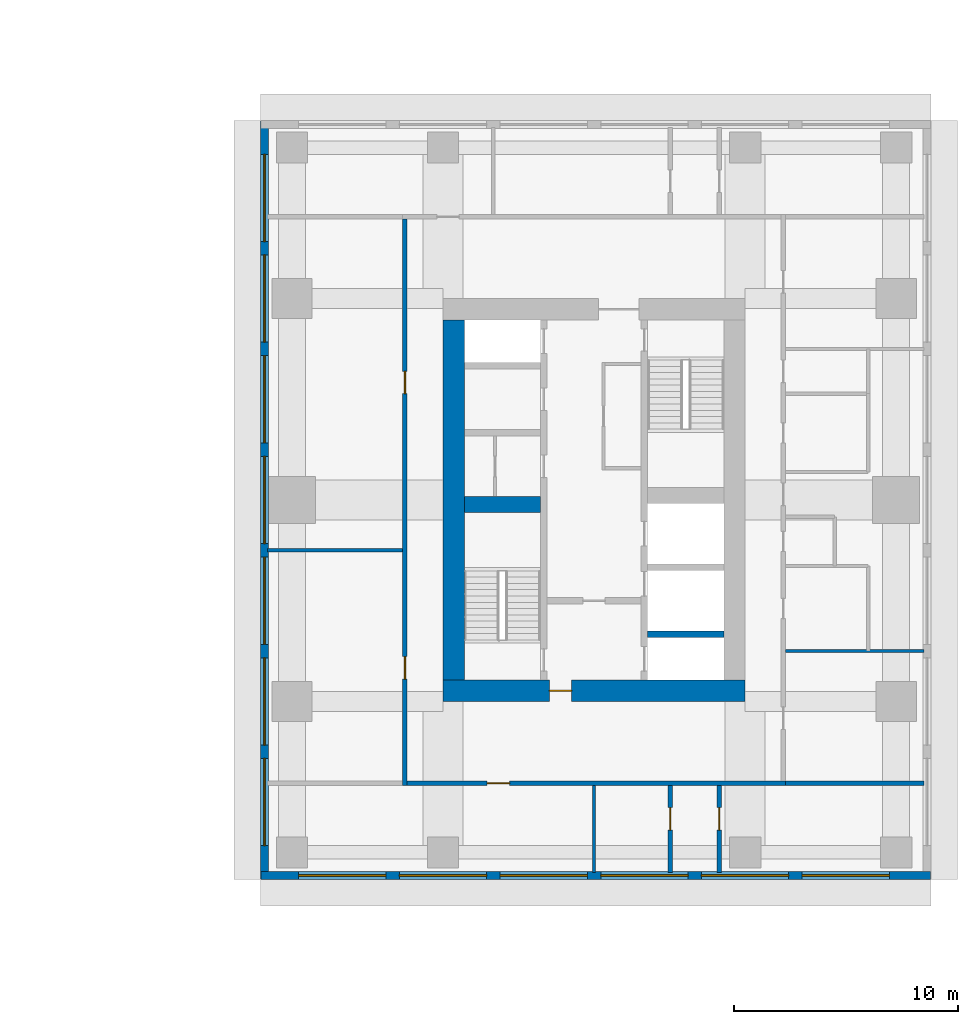
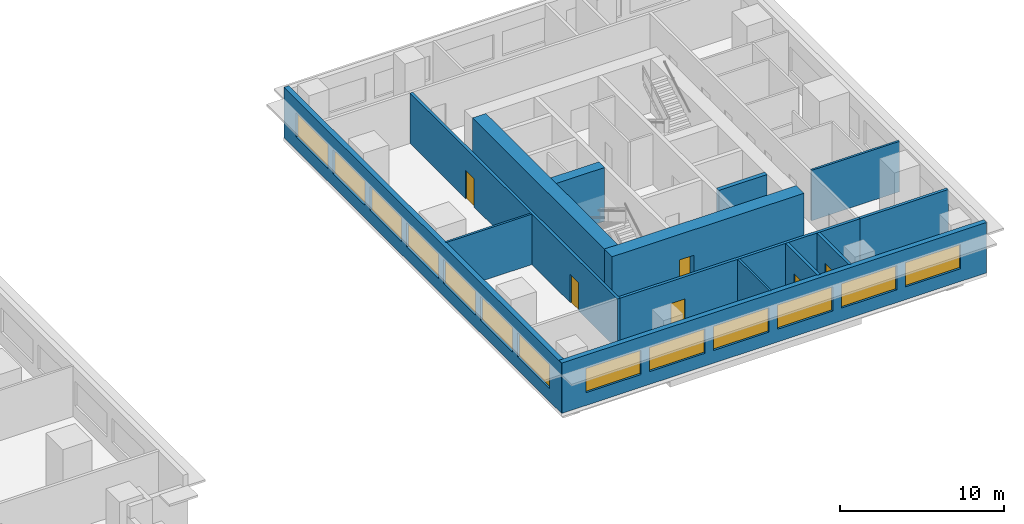
# One storey, part 6 of 11: 14 walls, 13 windows, 6 doors, 19 openings.
"""IFC4 building model written with IfcOpenShell, lengths in metres."""

from ifc_helpers import new_model, si_unit, direction, frame, frame_2d, origin, place, context, subcontext, project, spatial, rectangle, extrude, material, layer, layer_set, type_object, element, fill, save


model = new_model("IFC4")

# Units and contexts
model_context = context("Model", 3, precision=1e-05, world=origin(), true_north=direction((0.0, 1.0)))
body_context = subcontext(model_context, "Body", "Model", "MODEL_VIEW")
ifc_project = project(units=[si_unit("LENGTHUNIT", "METRE"), si_unit("AREAUNIT", "SQUARE_METRE"), si_unit("VOLUMEUNIT", "CUBIC_METRE"), si_unit("PLANEANGLEUNIT", "RADIAN"), si_unit("MASSUNIT", "GRAM", prefix="KILO")], contexts=[model_context])

# Site, building, storey
site_placement = place(None, origin())
site = spatial("IfcSite", under=ifc_project, at=site_placement, CompositionType="ELEMENT")
building_placement = place(site_placement, origin())
building = spatial("IfcBuilding", under=site, at=building_placement, Name="Namib Vertical Campus", CompositionType="ELEMENT")
storey_placement = place(building_placement, frame((0.0, 0.0, 193.0)))
storey = spatial("IfcBuildingStorey", under=building, at=storey_placement, Name="L45", CompositionType="ELEMENT", Elevation=193.0)

# Walls
ifc_material_1 = material(Name="Concrete C60/75", Category="concrete")
ifc_layer_1 = layer(ifc_material_1, 0.300048828125)
ifc_layer_set_1 = layer_set([ifc_layer_1], Name="Concrete C60/75")
wall_type_1 = type_object("IfcWallType", Name="Core inner wall 300", PredefinedType="SHEAR", material=ifc_layer_set_1)
wall_1_placement = place(storey_placement, frame((83.39990234375, 14.25, 0.0), z_axis=(0.0, 0.0, 1.0), x_axis=(1.0, 0.0, 0.0)))
element("IfcWall", 1, at=wall_1_placement, inside=storey, type_object=wall_type_1, Name="Core inner wall B L45 W5", PredefinedType="SHEAR", context=body_context, shape_type="SweptSolid", body=[
    extrude(rectangle(XDim=3.400146484375, YDim=0.300048828125, at=frame_2d((1.7001953125, 0.0))), origin(), (0.0, 0.0, 1.0), 4.0),
])
ifc_material_2 = material(Name="Concrete C60/75", Category="concrete")
ifc_layer_2 = layer(ifc_material_2, 0.699951171875)
ifc_layer_set_2 = layer_set([ifc_layer_2], Name="Concrete C60/75")
wall_type_2 = type_object("IfcWallType", Name="Core shear wall 700", PredefinedType="SHEAR", material=ifc_layer_set_2)
wall_2_placement = place(storey_placement, frame((75.199951171875, 20.050048828125, 0.0), z_axis=(0.0, 0.0, 1.0), x_axis=(1.0, 0.0, 0.0)))
element("IfcWall", 2, at=wall_2_placement, inside=storey, type_object=wall_type_2, Name="Core shear wall B L45 W3", PredefinedType="SHEAR", context=body_context, shape_type="SweptSolid", body=[
    extrude(rectangle(XDim=3.400146484375, YDim=0.699951171875, at=frame_2d((1.7001953125, 0.0))), origin(), (0.0, 0.0, 1.0), 4.0),
])

# Wall, opening, door
ifc_material_3 = material(Name="Concrete C60/75", Category="concrete")
ifc_layer_3 = layer(ifc_material_3, 0.949951171875)
ifc_layer_set_3 = layer_set([ifc_layer_3], Name="Concrete C60/75")
wall_type_3 = type_object("IfcWallType", Name="Core wall 950", PredefinedType="SHEAR", material=ifc_layer_set_3)
wall_3_placement = place(storey_placement, frame((74.25, 11.72509765625, 0.0), z_axis=(0.0, 0.0, 1.0), x_axis=(1.0, 0.0, 0.0)))
wall_3 = element("IfcWall", 3, at=wall_3_placement, inside=storey, type_object=wall_type_3, Name="Core wall B L45 1", PredefinedType="SHEAR", context=body_context, shape_type="SweptSolid", body=[
    extrude(rectangle(XDim=13.5, YDim=0.949951171875, at=frame_2d((6.75, 0.0))), origin(), (0.0, 0.0, 1.0), 4.0),
])
opening_1_placement = place(wall_3_placement, frame((4.75, 0.0, 0.0)))
opening_1 = element("IfcOpeningElement", 4, at=opening_1_placement, cuts=wall_3, Name="Opening FD5", PredefinedType="OPENING", context=body_context, shape_type="SweptSolid", body=[
    extrude(rectangle(XDim=1.0, YDim=2.10009765625, at=frame_2d((0.5, 1.050048828125))), frame((0.0, 0.48486328125, 0.0), z_axis=(0.0, -1.0, 0.0), x_axis=(1.0, 0.0, 0.0)), (0.0, 0.0, 1.0), 0.969970703125),
])
ifc_material_4 = material(Name="Steel fire door", Category="steel")
door_type_1 = type_object("IfcDoorType", Name="Fire door 1000x2100 120 min", OperationType="SINGLE_SWING_RIGHT", PredefinedType="DOOR", material=ifc_material_4)
door_1_placement = place(opening_1_placement, origin())
door_1 = element("IfcDoor", 5, at=door_1_placement, inside=storey, type_object=door_type_1, Name="Firefighting lobby door FD5 B L45", OperationType="SINGLE_SWING_LEFT", OverallHeight=2.10009765625, OverallWidth=1.0, PredefinedType="DOOR", context=body_context, shape_type="SweptSolid", body=[
    extrude(rectangle(XDim=1.0, YDim=2.10009765625, at=frame_2d((0.5, 1.050048828125))), frame((0.0, 0.02490234375, 0.0), z_axis=(0.0, -1.0, 0.0), x_axis=(1.0, 0.0, 0.0)), (0.0, 0.0, 1.0), 0.050048828125),
])
fill(opening_1, door_1)

# Wall
wall_4_placement = place(storey_placement, frame((74.72509765625, 28.300048828125, 0.0), z_axis=(0.0, 0.0, 1.0), x_axis=(0.0, -1.0, 0.0)))
element("IfcWall", 6, at=wall_4_placement, inside=storey, type_object=wall_type_3, Name="Core wall B L45 4", PredefinedType="SHEAR", context=body_context, shape_type="SweptSolid", body=[
    extrude(rectangle(XDim=16.10009765625, YDim=0.949951171875, at=frame_2d((8.050048828125, 0.0))), origin(), (0.0, 0.0, 1.0), 4.0),
])

# Wall, opening, door
ifc_material_5 = material(Name="Concrete masonry", Category="masonry")
ifc_layer_4 = layer(ifc_material_5, 0.199951171875)
ifc_layer_set_4 = layer_set([ifc_layer_4], Name="Corridor wall 200")
wall_type_4 = type_object("IfcWallType", Name="Corridor wall 200", PredefinedType="SOLIDWALL", material=ifc_layer_set_4)
wall_5_placement = place(storey_placement, frame((72.64990234375, 7.60009765625, 0.0), z_axis=(0.0, 0.0, 1.0), x_axis=(1.0, 0.0, 0.0)))
wall_5 = element("IfcWall", 7, at=wall_5_placement, inside=storey, type_object=wall_type_4, Name="Corridor wall B L45 CS", PredefinedType="SOLIDWALL", context=body_context, shape_type="SweptSolid", body=[
    extrude(rectangle(XDim=16.900146484375, YDim=0.199951171875, at=frame_2d((8.4501953125, 0.0))), origin(), (0.0, 0.0, 1.0), 3.75),
])
opening_2_placement = place(wall_5_placement, frame((3.574951171875, 0.0, 0.0)))
opening_2 = element("IfcOpeningElement", 8, at=opening_2_placement, cuts=wall_5, Name="Opening CD1", PredefinedType="OPENING", context=body_context, shape_type="SweptSolid", body=[
    extrude(rectangle(XDim=1.0, YDim=2.10009765625, at=frame_2d((0.5, 1.050048828125))), frame((0.0, 0.10986328125, 0.0), z_axis=(0.0, -1.0, 0.0), x_axis=(1.0, 0.0, 0.0)), (0.0, 0.0, 1.0), 0.219970703125),
])
ifc_material_6 = material(Name="Timber fire door leaf", Category="wood")
door_type_2 = type_object("IfcDoorType", Name="Corridor door 1000x2100 20 min", OperationType="SINGLE_SWING_LEFT", PredefinedType="DOOR", material=ifc_material_6)
door_2_placement = place(opening_2_placement, frame((1.0, 0.0, 0.0), z_axis=(0.0, 0.0, 1.0), x_axis=(-1.0, 0.0, 0.0)))
door_2 = element("IfcDoor", 9, at=door_2_placement, inside=storey, type_object=door_type_2, Name="Door CD1 B45-01", OperationType="SINGLE_SWING_LEFT", OverallHeight=2.10009765625, OverallWidth=1.0, PredefinedType="DOOR", context=body_context, shape_type="SweptSolid", body=[
    extrude(rectangle(XDim=1.0, YDim=2.10009765625, at=frame_2d((0.5, 1.050048828125))), frame((0.0, 0.02490234375, 0.0), z_axis=(0.0, -1.0, 0.0), x_axis=(1.0, 0.0, 0.0)), (0.0, 0.0, 1.0), 0.050048828125),
])
fill(opening_2, door_2)

# Wall, openings, doors
wall_6_placement = place(storey_placement, frame((72.550048828125, 32.800048828125, 0.0), z_axis=(0.0, 0.0, 1.0), x_axis=(0.0, -1.0, 0.0)))
wall_6 = element("IfcWall", 10, at=wall_6_placement, inside=storey, type_object=wall_type_4, Name="Corridor wall B L45 CW", PredefinedType="SOLIDWALL", context=body_context, shape_type="SweptSolid", body=[
    extrude(rectangle(XDim=25.300048828125, YDim=0.199951171875, at=frame_2d((12.64990234375, 0.0))), origin(), (0.0, 0.0, 1.0), 3.75),
])
opening_3_placement = place(wall_6_placement, frame((19.550048828125, 0.0, 0.0)))
opening_3 = element("IfcOpeningElement", 11, at=opening_3_placement, cuts=wall_6, Name="Opening CD1", PredefinedType="OPENING", context=body_context, shape_type="SweptSolid", body=[
    extrude(rectangle(XDim=1.0, YDim=2.10009765625, at=frame_2d((0.5, 1.050048828125))), frame((0.0, 0.10986328125, 0.0), z_axis=(0.0, -1.0, 0.0), x_axis=(1.0, 0.0, 0.0)), (0.0, 0.0, 1.0), 0.219970703125),
])
opening_4_placement = place(wall_6_placement, frame((6.800048828125, 0.0, 0.0)))
opening_4 = element("IfcOpeningElement", 12, at=opening_4_placement, cuts=wall_6, Name="Opening CD1", PredefinedType="OPENING", context=body_context, shape_type="SweptSolid", body=[
    extrude(rectangle(XDim=1.0, YDim=2.10009765625, at=frame_2d((0.5, 1.050048828125))), frame((0.0, 0.10986328125, 0.0), z_axis=(0.0, -1.0, 0.0), x_axis=(1.0, 0.0, 0.0)), (0.0, 0.0, 1.0), 0.219970703125),
])
door_3_placement = place(opening_3_placement, frame((1.0, 0.0, 0.0), z_axis=(0.0, 0.0, 1.0), x_axis=(-1.0, 0.0, 0.0)))
door_3 = element("IfcDoor", 13, at=door_3_placement, inside=storey, type_object=door_type_2, Name="Door CD1 B45-14", OperationType="SINGLE_SWING_RIGHT", OverallHeight=2.10009765625, OverallWidth=1.0, PredefinedType="DOOR", context=body_context, shape_type="SweptSolid", body=[
    extrude(rectangle(XDim=1.0, YDim=2.10009765625, at=frame_2d((0.5, 1.050048828125))), frame((0.0, 0.02490234375, 0.0), z_axis=(0.0, -1.0, 0.0), x_axis=(1.0, 0.0, 0.0)), (0.0, 0.0, 1.0), 0.050048828125),
])
fill(opening_3, door_3)
door_4_placement = place(opening_4_placement, frame((1.0, 0.0, 0.0), z_axis=(0.0, 0.0, 1.0), x_axis=(-1.0, 0.0, 0.0)))
door_4 = element("IfcDoor", 14, at=door_4_placement, inside=storey, type_object=door_type_2, Name="Door CD1 B45-15", OperationType="SINGLE_SWING_RIGHT", OverallHeight=2.10009765625, OverallWidth=1.0, PredefinedType="DOOR", context=body_context, shape_type="SweptSolid", body=[
    extrude(rectangle(XDim=1.0, YDim=2.10009765625, at=frame_2d((0.5, 1.050048828125))), frame((0.0, 0.02490234375, 0.0), z_axis=(0.0, -1.0, 0.0), x_axis=(1.0, 0.0, 0.0)), (0.0, 0.0, 1.0), 0.050048828125),
])
fill(opening_4, door_4)

# Wall, opening, door
wall_7_placement = place(storey_placement, frame((84.39990234375, 3.60009765625, 0.0), z_axis=(0.0, 0.0, 1.0), x_axis=(0.0, 1.0, 0.0)))
wall_7 = element("IfcWall", 15, at=wall_7_placement, inside=storey, type_object=wall_type_4, Name="Corridor wall B L45 SPS1", PredefinedType="SOLIDWALL", context=body_context, shape_type="SweptSolid", body=[
    extrude(rectangle(XDim=3.89990234375, YDim=0.199951171875, at=frame_2d((1.949951171875, 0.0))), origin(), (0.0, 0.0, 1.0), 3.75),
])
opening_5_placement = place(wall_7_placement, frame((1.89990234375, 0.0, 0.0)))
opening_5 = element("IfcOpeningElement", 16, at=opening_5_placement, cuts=wall_7, Name="Opening CD1", PredefinedType="OPENING", context=body_context, shape_type="SweptSolid", body=[
    extrude(rectangle(XDim=1.0, YDim=2.10009765625, at=frame_2d((0.5, 1.050048828125))), frame((0.0, 0.10986328125, 0.0), z_axis=(0.0, -1.0, 0.0), x_axis=(1.0, 0.0, 0.0)), (0.0, 0.0, 1.0), 0.219970703125),
])
door_5_placement = place(opening_5_placement, origin())
door_5 = element("IfcDoor", 17, at=door_5_placement, inside=storey, type_object=door_type_2, Name="Door CD1 B45-02", OperationType="SINGLE_SWING_RIGHT", OverallHeight=2.10009765625, OverallWidth=1.0, PredefinedType="DOOR", context=body_context, shape_type="SweptSolid", body=[
    extrude(rectangle(XDim=1.0, YDim=2.10009765625, at=frame_2d((0.5, 1.050048828125))), frame((0.0, 0.02490234375, 0.0), z_axis=(0.0, -1.0, 0.0), x_axis=(1.0, 0.0, 0.0)), (0.0, 0.0, 1.0), 0.050048828125),
])
fill(opening_5, door_5)

wall_8_placement = place(storey_placement, frame((86.60009765625, 7.5, 0.0), z_axis=(0.0, 0.0, 1.0), x_axis=(0.0, -1.0, 0.0)))
wall_8 = element("IfcWall", 18, at=wall_8_placement, inside=storey, type_object=wall_type_4, Name="Corridor wall B L45 SPS2", PredefinedType="SOLIDWALL", context=body_context, shape_type="SweptSolid", body=[
    extrude(rectangle(XDim=3.89990234375, YDim=0.199951171875, at=frame_2d((1.949951171875, 0.0))), origin(), (0.0, 0.0, 1.0), 3.75),
])
opening_6_placement = place(wall_8_placement, frame((1.0, 0.0, 0.0)))
opening_6 = element("IfcOpeningElement", 19, at=opening_6_placement, cuts=wall_8, Name="Opening CD1", PredefinedType="OPENING", context=body_context, shape_type="SweptSolid", body=[
    extrude(rectangle(XDim=1.0, YDim=2.10009765625, at=frame_2d((0.5, 1.050048828125))), frame((0.0, 0.10986328125, 0.0), z_axis=(0.0, -1.0, 0.0), x_axis=(1.0, 0.0, 0.0)), (0.0, 0.0, 1.0), 0.219970703125),
])
door_6_placement = place(opening_6_placement, origin())
door_6 = element("IfcDoor", 20, at=door_6_placement, inside=storey, type_object=door_type_2, Name="Door CD1 B45-03", OperationType="SINGLE_SWING_LEFT", OverallHeight=2.10009765625, OverallWidth=1.0, PredefinedType="DOOR", context=body_context, shape_type="SweptSolid", body=[
    extrude(rectangle(XDim=1.0, YDim=2.10009765625, at=frame_2d((0.5, 1.050048828125))), frame((0.0, 0.02490234375, 0.0), z_axis=(0.0, -1.0, 0.0), x_axis=(1.0, 0.0, 0.0)), (0.0, 0.0, 1.0), 0.050048828125),
])
fill(opening_6, door_6)

# Wall
wall_9_placement = place(storey_placement, frame((89.550048828125, 7.60009765625, 0.0), z_axis=(0.0, 0.0, 1.0), x_axis=(1.0, 0.0, 0.0)))
element("IfcWall", 21, at=wall_9_placement, inside=storey, type_object=wall_type_4, Name="Partition B L45 BSE", PredefinedType="SOLIDWALL", context=body_context, shape_type="SweptSolid", body=[
    extrude(rectangle(XDim=6.199951171875, YDim=0.199951171875, at=frame_2d((3.10009765625, 0.0))), origin(), (0.0, 0.0, 1.0), 3.75),
])

# Wall, openings, windows
ifc_material_7 = material(Name="Concrete C40/50", Category="concrete")
ifc_layer_5 = layer(ifc_material_7, 0.35009765625)
ifc_layer_set_5 = layer_set([ifc_layer_5], Name="Concrete C40/50")
wall_type_5 = type_object("IfcWallType", Name="External wall 350 bush-hammered concrete", PredefinedType="STANDARD", material=ifc_layer_set_5)
wall_10_placement = place(storey_placement, frame((66.1201171875, 3.47509765625, 0.0), z_axis=(0.0, 0.0, 1.0), x_axis=(1.0, 0.0, 0.0)))
wall_10 = element("IfcWall", 22, at=wall_10_placement, inside=storey, type_object=wall_type_5, Name="External wall L45 F01", PredefinedType="STANDARD", context=body_context, shape_type="SweptSolid", body=[
    extrude(rectangle(XDim=29.909912109375, YDim=0.35009765625, at=frame_2d((14.955078125, 0.0))), origin(), (0.0, 0.0, 1.0), 3.75),
])
opening_7_placement = place(wall_10_placement, frame((1.679931640625, 0.0, 0.949951171875)))
opening_7 = element("IfcOpeningElement", 23, at=opening_7_placement, cuts=wall_10, Name="Opening W3", PredefinedType="OPENING", context=body_context, shape_type="SweptSolid", body=[
    extrude(rectangle(XDim=3.89990234375, YDim=1.800048828125, at=frame_2d((1.949951171875, 0.89990234375))), frame((0.0, 0.18505859375, 0.0), z_axis=(0.0, -1.0, 0.0), x_axis=(1.0, 0.0, 0.0)), (0.0, 0.0, 1.0), 0.3701171875),
])
opening_8_placement = place(wall_10_placement, frame((6.179931640625, 0.0, 0.949951171875)))
opening_8 = element("IfcOpeningElement", 24, at=opening_8_placement, cuts=wall_10, Name="Opening W3", PredefinedType="OPENING", context=body_context, shape_type="SweptSolid", body=[
    extrude(rectangle(XDim=3.89990234375, YDim=1.800048828125, at=frame_2d((1.949951171875, 0.89990234375))), frame((0.0, 0.18505859375, 0.0), z_axis=(0.0, -1.0, 0.0), x_axis=(1.0, 0.0, 0.0)), (0.0, 0.0, 1.0), 0.3701171875),
])
opening_9_placement = place(wall_10_placement, frame((10.679931640625, 0.0, 0.949951171875)))
opening_9 = element("IfcOpeningElement", 25, at=opening_9_placement, cuts=wall_10, Name="Opening W3", PredefinedType="OPENING", context=body_context, shape_type="SweptSolid", body=[
    extrude(rectangle(XDim=3.89990234375, YDim=1.800048828125, at=frame_2d((1.949951171875, 0.89990234375))), frame((0.0, 0.18505859375, 0.0), z_axis=(0.0, -1.0, 0.0), x_axis=(1.0, 0.0, 0.0)), (0.0, 0.0, 1.0), 0.3701171875),
])
opening_10_placement = place(wall_10_placement, frame((15.179931640625, 0.0, 0.949951171875)))
opening_10 = element("IfcOpeningElement", 26, at=opening_10_placement, cuts=wall_10, Name="Opening W3", PredefinedType="OPENING", context=body_context, shape_type="SweptSolid", body=[
    extrude(rectangle(XDim=3.89990234375, YDim=1.800048828125, at=frame_2d((1.949951171875, 0.89990234375))), frame((0.0, 0.18505859375, 0.0), z_axis=(0.0, -1.0, 0.0), x_axis=(1.0, 0.0, 0.0)), (0.0, 0.0, 1.0), 0.3701171875),
])
opening_11_placement = place(wall_10_placement, frame((19.679931640625, 0.0, 0.949951171875)))
opening_11 = element("IfcOpeningElement", 27, at=opening_11_placement, cuts=wall_10, Name="Opening W3", PredefinedType="OPENING", context=body_context, shape_type="SweptSolid", body=[
    extrude(rectangle(XDim=3.89990234375, YDim=1.800048828125, at=frame_2d((1.949951171875, 0.89990234375))), frame((0.0, 0.18505859375, 0.0), z_axis=(0.0, -1.0, 0.0), x_axis=(1.0, 0.0, 0.0)), (0.0, 0.0, 1.0), 0.3701171875),
])
opening_12_placement = place(wall_10_placement, frame((24.179931640625, 0.0, 0.949951171875)))
opening_12 = element("IfcOpeningElement", 28, at=opening_12_placement, cuts=wall_10, Name="Opening W3", PredefinedType="OPENING", context=body_context, shape_type="SweptSolid", body=[
    extrude(rectangle(XDim=3.89990234375, YDim=1.800048828125, at=frame_2d((1.949951171875, 0.89990234375))), frame((0.0, 0.18505859375, 0.0), z_axis=(0.0, -1.0, 0.0), x_axis=(1.0, 0.0, 0.0)), (0.0, 0.0, 1.0), 0.3701171875),
])
ifc_material_8 = material(Name="Dark tinted glass in black aluminium frame", Category="aluminium")
window_type = type_object("IfcWindowType", Name="Ribbon window 3900x1800", PartitioningType="SINGLE_PANEL", PredefinedType="WINDOW", material=ifc_material_8)
window_1_placement = place(opening_7_placement, origin())
window_1 = element("IfcWindow", 29, at=window_1_placement, inside=storey, type_object=window_type, Name="Window W3 L45 F01-1", OverallHeight=1.800048828125, OverallWidth=3.89990234375, PartitioningType="SINGLE_PANEL", PredefinedType="WINDOW", context=body_context, shape_type="SweptSolid", body=[
    extrude(rectangle(XDim=3.89990234375, YDim=1.800048828125, at=frame_2d((1.949951171875, 0.89990234375))), frame((0.0, 0.030029296875, 0.0), z_axis=(0.0, -1.0, 0.0), x_axis=(1.0, 0.0, 0.0)), (0.0, 0.0, 1.0), 0.06005859375),
])
fill(opening_7, window_1)
window_2_placement = place(opening_8_placement, origin())
window_2 = element("IfcWindow", 30, at=window_2_placement, inside=storey, type_object=window_type, Name="Window W3 L45 F01-2", OverallHeight=1.800048828125, OverallWidth=3.89990234375, PartitioningType="SINGLE_PANEL", PredefinedType="WINDOW", context=body_context, shape_type="SweptSolid", body=[
    extrude(rectangle(XDim=3.89990234375, YDim=1.800048828125, at=frame_2d((1.949951171875, 0.89990234375))), frame((0.0, 0.030029296875, 0.0), z_axis=(0.0, -1.0, 0.0), x_axis=(1.0, 0.0, 0.0)), (0.0, 0.0, 1.0), 0.06005859375),
])
fill(opening_8, window_2)
window_3_placement = place(opening_9_placement, origin())
window_3 = element("IfcWindow", 31, at=window_3_placement, inside=storey, type_object=window_type, Name="Window W3 L45 F01-3", OverallHeight=1.800048828125, OverallWidth=3.89990234375, PartitioningType="SINGLE_PANEL", PredefinedType="WINDOW", context=body_context, shape_type="SweptSolid", body=[
    extrude(rectangle(XDim=3.89990234375, YDim=1.800048828125, at=frame_2d((1.949951171875, 0.89990234375))), frame((0.0, 0.030029296875, 0.0), z_axis=(0.0, -1.0, 0.0), x_axis=(1.0, 0.0, 0.0)), (0.0, 0.0, 1.0), 0.06005859375),
])
fill(opening_9, window_3)
window_4_placement = place(opening_10_placement, origin())
window_4 = element("IfcWindow", 32, at=window_4_placement, inside=storey, type_object=window_type, Name="Window W3 L45 F01-4", OverallHeight=1.800048828125, OverallWidth=3.89990234375, PartitioningType="SINGLE_PANEL", PredefinedType="WINDOW", context=body_context, shape_type="SweptSolid", body=[
    extrude(rectangle(XDim=3.89990234375, YDim=1.800048828125, at=frame_2d((1.949951171875, 0.89990234375))), frame((0.0, 0.030029296875, 0.0), z_axis=(0.0, -1.0, 0.0), x_axis=(1.0, 0.0, 0.0)), (0.0, 0.0, 1.0), 0.06005859375),
])
fill(opening_10, window_4)
window_5_placement = place(opening_11_placement, origin())
window_5 = element("IfcWindow", 33, at=window_5_placement, inside=storey, type_object=window_type, Name="Window W3 L45 F01-5", OverallHeight=1.800048828125, OverallWidth=3.89990234375, PartitioningType="SINGLE_PANEL", PredefinedType="WINDOW", context=body_context, shape_type="SweptSolid", body=[
    extrude(rectangle(XDim=3.89990234375, YDim=1.800048828125, at=frame_2d((1.949951171875, 0.89990234375))), frame((0.0, 0.030029296875, 0.0), z_axis=(0.0, -1.0, 0.0), x_axis=(1.0, 0.0, 0.0)), (0.0, 0.0, 1.0), 0.06005859375),
])
fill(opening_11, window_5)
window_6_placement = place(opening_12_placement, origin())
window_6 = element("IfcWindow", 34, at=window_6_placement, inside=storey, type_object=window_type, Name="Window W3 L45 F01-6", OverallHeight=1.800048828125, OverallWidth=3.89990234375, PartitioningType="SINGLE_PANEL", PredefinedType="WINDOW", context=body_context, shape_type="SweptSolid", body=[
    extrude(rectangle(XDim=3.89990234375, YDim=1.800048828125, at=frame_2d((1.949951171875, 0.89990234375))), frame((0.0, 0.030029296875, 0.0), z_axis=(0.0, -1.0, 0.0), x_axis=(1.0, 0.0, 0.0)), (0.0, 0.0, 1.0), 0.06005859375),
])
fill(opening_12, window_6)

wall_11_placement = place(storey_placement, frame((66.27490234375, 37.179931640625, 0.0), z_axis=(0.0, 0.0, 1.0), x_axis=(0.0, -1.0, 0.0)))
wall_11 = element("IfcWall", 35, at=wall_11_placement, inside=storey, type_object=wall_type_5, Name="External wall L45 F04", PredefinedType="STANDARD", context=body_context, shape_type="SweptSolid", body=[
    extrude(rectangle(XDim=33.85986328125, YDim=0.35009765625, at=frame_2d((16.929931640625, 0.0))), origin(), (0.0, 0.0, 1.0), 3.75),
])
opening_13_placement = place(wall_11_placement, frame((28.47998046875, 0.0, 0.949951171875)))
opening_13 = element("IfcOpeningElement", 36, at=opening_13_placement, cuts=wall_11, Name="Opening W3", PredefinedType="OPENING", context=body_context, shape_type="SweptSolid", body=[
    extrude(rectangle(XDim=3.89990234375, YDim=1.800048828125, at=frame_2d((1.949951171875, 0.89990234375))), frame((0.0, 0.18505859375, 0.0), z_axis=(0.0, -1.0, 0.0), x_axis=(1.0, 0.0, 0.0)), (0.0, 0.0, 1.0), 0.3701171875),
])
opening_14_placement = place(wall_11_placement, frame((23.97998046875, 0.0, 0.949951171875)))
opening_14 = element("IfcOpeningElement", 37, at=opening_14_placement, cuts=wall_11, Name="Opening W3", PredefinedType="OPENING", context=body_context, shape_type="SweptSolid", body=[
    extrude(rectangle(XDim=3.89990234375, YDim=1.800048828125, at=frame_2d((1.949951171875, 0.89990234375))), frame((0.0, 0.18505859375, 0.0), z_axis=(0.0, -1.0, 0.0), x_axis=(1.0, 0.0, 0.0)), (0.0, 0.0, 1.0), 0.3701171875),
])
opening_15_placement = place(wall_11_placement, frame((19.47998046875, 0.0, 0.949951171875)))
opening_15 = element("IfcOpeningElement", 38, at=opening_15_placement, cuts=wall_11, Name="Opening W3", PredefinedType="OPENING", context=body_context, shape_type="SweptSolid", body=[
    extrude(rectangle(XDim=3.89990234375, YDim=1.800048828125, at=frame_2d((1.949951171875, 0.89990234375))), frame((0.0, 0.18505859375, 0.0), z_axis=(0.0, -1.0, 0.0), x_axis=(1.0, 0.0, 0.0)), (0.0, 0.0, 1.0), 0.3701171875),
])
opening_16_placement = place(wall_11_placement, frame((14.97998046875, 0.0, 0.949951171875)))
opening_16 = element("IfcOpeningElement", 39, at=opening_16_placement, cuts=wall_11, Name="Opening W3", PredefinedType="OPENING", context=body_context, shape_type="SweptSolid", body=[
    extrude(rectangle(XDim=3.89990234375, YDim=1.800048828125, at=frame_2d((1.949951171875, 0.89990234375))), frame((0.0, 0.18505859375, 0.0), z_axis=(0.0, -1.0, 0.0), x_axis=(1.0, 0.0, 0.0)), (0.0, 0.0, 1.0), 0.3701171875),
])
opening_17_placement = place(wall_11_placement, frame((10.47998046875, 0.0, 0.949951171875)))
opening_17 = element("IfcOpeningElement", 40, at=opening_17_placement, cuts=wall_11, Name="Opening W3", PredefinedType="OPENING", context=body_context, shape_type="SweptSolid", body=[
    extrude(rectangle(XDim=3.89990234375, YDim=1.800048828125, at=frame_2d((1.949951171875, 0.89990234375))), frame((0.0, 0.18505859375, 0.0), z_axis=(0.0, -1.0, 0.0), x_axis=(1.0, 0.0, 0.0)), (0.0, 0.0, 1.0), 0.3701171875),
])
opening_18_placement = place(wall_11_placement, frame((5.97998046875, 0.0, 0.949951171875)))
opening_18 = element("IfcOpeningElement", 41, at=opening_18_placement, cuts=wall_11, Name="Opening W3", PredefinedType="OPENING", context=body_context, shape_type="SweptSolid", body=[
    extrude(rectangle(XDim=3.89990234375, YDim=1.800048828125, at=frame_2d((1.949951171875, 0.89990234375))), frame((0.0, 0.18505859375, 0.0), z_axis=(0.0, -1.0, 0.0), x_axis=(1.0, 0.0, 0.0)), (0.0, 0.0, 1.0), 0.3701171875),
])
opening_19_placement = place(wall_11_placement, frame((1.47998046875, 0.0, 0.949951171875)))
opening_19 = element("IfcOpeningElement", 42, at=opening_19_placement, cuts=wall_11, Name="Opening W3", PredefinedType="OPENING", context=body_context, shape_type="SweptSolid", body=[
    extrude(rectangle(XDim=3.89990234375, YDim=1.800048828125, at=frame_2d((1.949951171875, 0.89990234375))), frame((0.0, 0.18505859375, 0.0), z_axis=(0.0, -1.0, 0.0), x_axis=(1.0, 0.0, 0.0)), (0.0, 0.0, 1.0), 0.3701171875),
])
window_7_placement = place(opening_13_placement, origin())
window_7 = element("IfcWindow", 43, at=window_7_placement, inside=storey, type_object=window_type, Name="Window W3 L45 F04-1", OverallHeight=1.800048828125, OverallWidth=3.89990234375, PartitioningType="SINGLE_PANEL", PredefinedType="WINDOW", context=body_context, shape_type="SweptSolid", body=[
    extrude(rectangle(XDim=3.89990234375, YDim=1.800048828125, at=frame_2d((1.949951171875, 0.89990234375))), frame((0.0, 0.030029296875, 0.0), z_axis=(0.0, -1.0, 0.0), x_axis=(1.0, 0.0, 0.0)), (0.0, 0.0, 1.0), 0.06005859375),
])
fill(opening_13, window_7)
window_8_placement = place(opening_14_placement, origin())
window_8 = element("IfcWindow", 44, at=window_8_placement, inside=storey, type_object=window_type, Name="Window W3 L45 F04-2", OverallHeight=1.800048828125, OverallWidth=3.89990234375, PartitioningType="SINGLE_PANEL", PredefinedType="WINDOW", context=body_context, shape_type="SweptSolid", body=[
    extrude(rectangle(XDim=3.89990234375, YDim=1.800048828125, at=frame_2d((1.949951171875, 0.89990234375))), frame((0.0, 0.030029296875, 0.0), z_axis=(0.0, -1.0, 0.0), x_axis=(1.0, 0.0, 0.0)), (0.0, 0.0, 1.0), 0.06005859375),
])
fill(opening_14, window_8)
window_9_placement = place(opening_15_placement, origin())
window_9 = element("IfcWindow", 45, at=window_9_placement, inside=storey, type_object=window_type, Name="Window W3 L45 F04-3", OverallHeight=1.800048828125, OverallWidth=3.89990234375, PartitioningType="SINGLE_PANEL", PredefinedType="WINDOW", context=body_context, shape_type="SweptSolid", body=[
    extrude(rectangle(XDim=3.89990234375, YDim=1.800048828125, at=frame_2d((1.949951171875, 0.89990234375))), frame((0.0, 0.030029296875, 0.0), z_axis=(0.0, -1.0, 0.0), x_axis=(1.0, 0.0, 0.0)), (0.0, 0.0, 1.0), 0.06005859375),
])
fill(opening_15, window_9)
window_10_placement = place(opening_16_placement, origin())
window_10 = element("IfcWindow", 46, at=window_10_placement, inside=storey, type_object=window_type, Name="Window W3 L45 F04-4", OverallHeight=1.800048828125, OverallWidth=3.89990234375, PartitioningType="SINGLE_PANEL", PredefinedType="WINDOW", context=body_context, shape_type="SweptSolid", body=[
    extrude(rectangle(XDim=3.89990234375, YDim=1.800048828125, at=frame_2d((1.949951171875, 0.89990234375))), frame((0.0, 0.030029296875, 0.0), z_axis=(0.0, -1.0, 0.0), x_axis=(1.0, 0.0, 0.0)), (0.0, 0.0, 1.0), 0.06005859375),
])
fill(opening_16, window_10)
window_11_placement = place(opening_17_placement, origin())
window_11 = element("IfcWindow", 47, at=window_11_placement, inside=storey, type_object=window_type, Name="Window W3 L45 F04-5", OverallHeight=1.800048828125, OverallWidth=3.89990234375, PartitioningType="SINGLE_PANEL", PredefinedType="WINDOW", context=body_context, shape_type="SweptSolid", body=[
    extrude(rectangle(XDim=3.89990234375, YDim=1.800048828125, at=frame_2d((1.949951171875, 0.89990234375))), frame((0.0, 0.030029296875, 0.0), z_axis=(0.0, -1.0, 0.0), x_axis=(1.0, 0.0, 0.0)), (0.0, 0.0, 1.0), 0.06005859375),
])
fill(opening_17, window_11)
window_12_placement = place(opening_18_placement, origin())
window_12 = element("IfcWindow", 48, at=window_12_placement, inside=storey, type_object=window_type, Name="Window W3 L45 F04-6", OverallHeight=1.800048828125, OverallWidth=3.89990234375, PartitioningType="SINGLE_PANEL", PredefinedType="WINDOW", context=body_context, shape_type="SweptSolid", body=[
    extrude(rectangle(XDim=3.89990234375, YDim=1.800048828125, at=frame_2d((1.949951171875, 0.89990234375))), frame((0.0, 0.030029296875, 0.0), z_axis=(0.0, -1.0, 0.0), x_axis=(1.0, 0.0, 0.0)), (0.0, 0.0, 1.0), 0.06005859375),
])
fill(opening_18, window_12)
window_13_placement = place(opening_19_placement, origin())
window_13 = element("IfcWindow", 49, at=window_13_placement, inside=storey, type_object=window_type, Name="Window W3 L45 F04-7", OverallHeight=1.800048828125, OverallWidth=3.89990234375, PartitioningType="SINGLE_PANEL", PredefinedType="WINDOW", context=body_context, shape_type="SweptSolid", body=[
    extrude(rectangle(XDim=3.89990234375, YDim=1.800048828125, at=frame_2d((1.949951171875, 0.89990234375))), frame((0.0, 0.030029296875, 0.0), z_axis=(0.0, -1.0, 0.0), x_axis=(1.0, 0.0, 0.0)), (0.0, 0.0, 1.0), 0.06005859375),
])
fill(opening_19, window_13)

# Walls
ifc_material_9 = material(Name="Gypsum board on steel studs", Category="steel")
ifc_layer_6 = layer(ifc_material_9, 0.14990234375)
ifc_layer_set_6 = layer_set([ifc_layer_6], Name="Gypsum board on steel studs")
wall_type_6 = type_object("IfcWallType", Name="Partition 150", PredefinedType="PARTITIONING", material=ifc_layer_set_6)
wall_12_placement = place(storey_placement, frame((81.0, 3.60009765625, 0.0), z_axis=(0.0, 0.0, 1.0), x_axis=(0.0, 1.0, 0.0)))
element("IfcWall", 50, at=wall_12_placement, inside=storey, type_object=wall_type_6, Name="Partition B L45 PS1", PredefinedType="PARTITIONING", context=body_context, shape_type="SweptSolid", body=[
    extrude(rectangle(XDim=3.89990234375, YDim=0.14990234375, at=frame_2d((1.949951171875, 0.0))), origin(), (0.0, 0.0, 1.0), 3.75),
])
wall_13_placement = place(storey_placement, frame((89.550048828125, 13.5, 0.0), z_axis=(0.0, 0.0, 1.0), x_axis=(1.0, 0.0, 0.0)))
element("IfcWall", 51, at=wall_13_placement, inside=storey, type_object=wall_type_6, Name="Partition B L45 PE1", PredefinedType="PARTITIONING", context=body_context, shape_type="SweptSolid", body=[
    extrude(rectangle(XDim=6.199951171875, YDim=0.14990234375, at=frame_2d((3.10009765625, 0.0))), origin(), (0.0, 0.0, 1.0), 3.75),
])
wall_14_placement = place(storey_placement, frame((66.39990234375, 18.0, 0.0), z_axis=(0.0, 0.0, 1.0), x_axis=(1.0, 0.0, 0.0)))
element("IfcWall", 52, at=wall_14_placement, inside=storey, type_object=wall_type_6, Name="Partition B L45 PW1", PredefinedType="PARTITIONING", context=body_context, shape_type="SweptSolid", body=[
    extrude(rectangle(XDim=6.050048828125, YDim=0.14990234375, at=frame_2d((3.02490234375, 0.0))), origin(), (0.0, 0.0, 1.0), 3.75),
])

save(model, "model.ifc")
